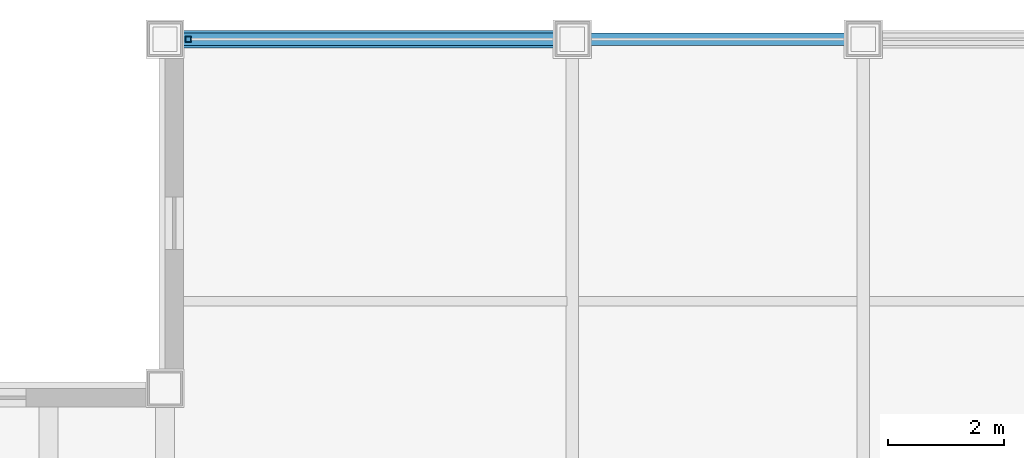
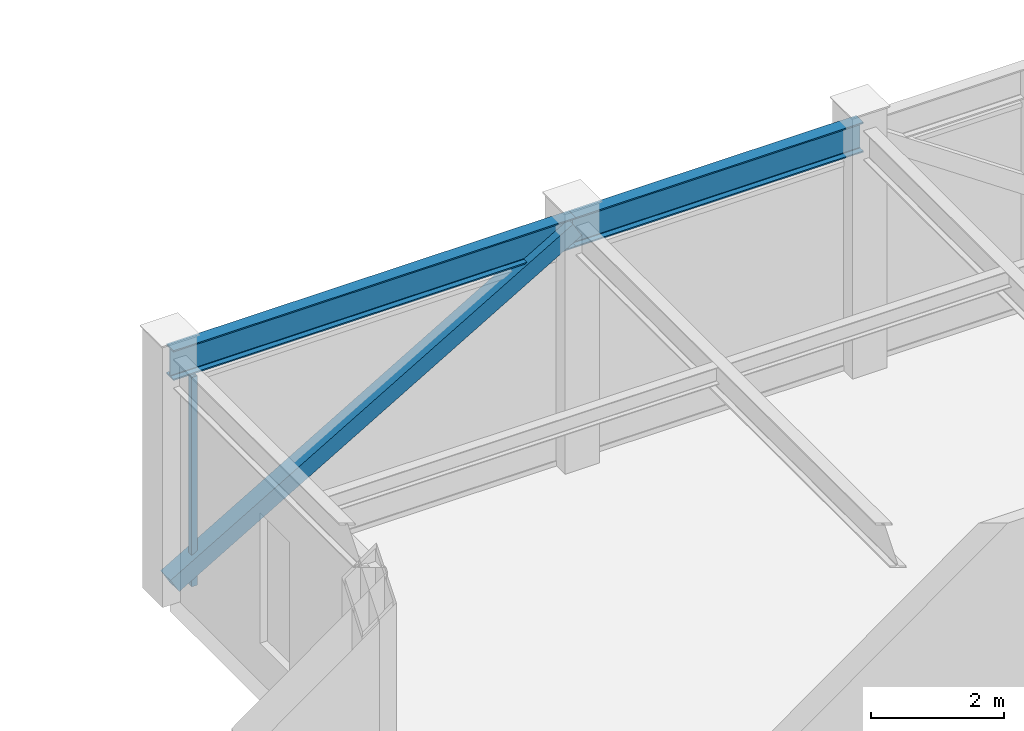
# One storey, part 16 of 27: 2 beams, 2 members, 1 element without a shape of its own.
"""IFC4 building model written with IfcOpenShell, lengths in metres."""

import ifcopenshell
import ifcopenshell.guid

model = None  # the IFC model being written
_history = None  # IfcOwnerHistory: only IFC2X3 demands one
_inside = {}  # id of a spatial element -> (the spatial element, [elements in it])
_under = {}  # id of a project, library or spatial element -> (it, [spatial elements below it])
_declared = {}  # id of a project -> (the project, [libraries it declares])
_typed = {}  # id of a type object -> (the type object, [elements of that type])
_made_of = {}  # id of a material, layer set ... -> (it, [elements and type objects made of it])


def new_model(schema):
    """Start an empty IFC model of exactly this schema.

    Asked for "IFC4X3", IfcOpenShell would pick the latest addendum, in which some entities
    have other attributes; the version numbers below select the first issue.
    IFC2X3 requires an IfcOwnerHistory on every rooted entity: one is made here for all.
    """
    global model, _history
    if schema == "IFC4X3":
        model = ifcopenshell.file(schema_version=(4, 3, 0, 0))
    else:
        model = ifcopenshell.file(schema=schema)
    _inside.clear()
    _under.clear()
    _declared.clear()
    _typed.clear()
    _made_of.clear()
    _history = None
    if model.schema == "IFC2X3":
        org = make("IfcOrganization", Name="unknown")
        user = make(
            "IfcPersonAndOrganization",
            ThePerson=make("IfcPerson", FamilyName="unknown"),
            TheOrganization=org,
        )
        app = make(
            "IfcApplication",
            ApplicationDeveloper=org,
            Version="unknown",
            ApplicationFullName="unknown",
            ApplicationIdentifier="unknown",
        )
        _history = make(
            "IfcOwnerHistory",
            OwningUser=user,
            OwningApplication=app,
            ChangeAction="ADDED",
            CreationDate=0,
        )
    return model


def make(cls, **values):
    """One entity of the class cls with the attributes given. An attribute that is None is left unset."""
    return model.create_entity(
        cls, **{name: value for name, value in values.items() if value is not None}
    )


def rooted(cls, **values):
    """An entity with a GlobalId (a new one), such as an element, a storey or a relation."""
    return make(cls, GlobalId=ifcopenshell.guid.new(), OwnerHistory=_history, **values)


def si_unit(unit_type, name, prefix=None):
    """IfcSIUnit, for example si_unit("LENGTHUNIT", "METRE", prefix="MILLI")."""
    return make("IfcSIUnit", UnitType=unit_type, Prefix=prefix, Name=name)


def assignment(units):
    """IfcUnitAssignment: the units of a project."""
    return None if units is None else make("IfcUnitAssignment", Units=units)


def point(xyz):
    """IfcCartesianPoint."""
    return None if xyz is None else make("IfcCartesianPoint", Coordinates=xyz)


def direction(xyz):
    """IfcDirection."""
    return None if xyz is None else make("IfcDirection", DirectionRatios=xyz)


def frame(location, z_axis=None, x_axis=None):
    """IfcAxis2Placement3D, a coordinate frame: its origin and axes. An axis left out is left unset."""
    return make(
        "IfcAxis2Placement3D",
        Location=point(location),
        Axis=direction(z_axis),
        RefDirection=direction(x_axis),
    )


def frame_2d(location, x_axis=None):
    """IfcAxis2Placement2D, a coordinate frame in the plane: its origin and x axis."""
    return make(
        "IfcAxis2Placement2D", Location=point(location), RefDirection=direction(x_axis)
    )


def origin():
    """The frame at (0, 0, 0) with its axes left unset."""
    return frame((0.0, 0.0, 0.0))


def origin_2d():
    """The frame at (0, 0) in the plane with its x axis left unset."""
    return frame_2d((0.0, 0.0))


def place(relative_to, where):
    """IfcLocalPlacement: puts the frame where relative to a parent placement (None: the world)."""
    return make(
        "IfcLocalPlacement", PlacementRelTo=relative_to, RelativePlacement=where
    )


def context(
    kind, dimensions, precision=None, world=None, true_north=None, identifier=None
):
    """IfcGeometricRepresentationContext, for example the 3D "Model" context."""
    return make(
        "IfcGeometricRepresentationContext",
        ContextIdentifier=identifier,
        ContextType=kind,
        CoordinateSpaceDimension=dimensions,
        Precision=precision,
        WorldCoordinateSystem=world,
        TrueNorth=true_north,
    )


def subcontext(parent, identifier, kind, view, scale=None):
    """IfcGeometricRepresentationSubContext, for example "Body" below "Model"."""
    return make(
        "IfcGeometricRepresentationSubContext",
        ContextIdentifier=identifier,
        ContextType=kind,
        ParentContext=parent,
        TargetScale=scale,
        TargetView=view,
    )


def project(units=None, contexts=None):
    """IfcProject with its units and contexts."""
    return rooted(
        "IfcProject",
        Name="project",
        RepresentationContexts=contexts,
        UnitsInContext=assignment(units),
    )


def spatial(cls, under=None, at=None, **own):
    """A site, building, storey or space (cls), placed at a placement, below another one or the project."""
    s = rooted(cls, ObjectPlacement=at, **own)
    if under is not None:
        _under.setdefault(under.id(), (under, []))[1].append(s)
    return s


def profile(cls, at=None, kind="AREA", **sizes):
    """A parametric profile (cls). Its sizes go by their IFC names, for example OverallWidth=200.0."""
    return make(cls, ProfileType=kind, Position=at, **sizes)


def hollow_rectangle(**sizes):
    """IfcRectangleHollowProfileDef."""
    return profile("IfcRectangleHollowProfileDef", **sizes)


def i_section(**sizes):
    """IfcIShapeProfileDef."""
    return profile("IfcIShapeProfileDef", **sizes)


def extrude(swept, where, along, depth):
    """IfcExtrudedAreaSolid: the profile swept, set in the frame where, extruded along a direction by depth."""
    return make(
        "IfcExtrudedAreaSolid",
        SweptArea=swept,
        Position=where,
        ExtrudedDirection=direction(along),
        Depth=depth,
    )


def shape(context_of_items, identifier, shape_type, items):
    """IfcShapeRepresentation: the items that make up one representation, for example the "Body"."""
    return make(
        "IfcShapeRepresentation",
        ContextOfItems=context_of_items,
        RepresentationIdentifier=identifier,
        RepresentationType=shape_type,
        Items=items,
    )


def source(mapping_origin, context_of_items, identifier, shape_type, items):
    """IfcRepresentationMap: a shape defined once, which mapped items show again and again."""
    return make(
        "IfcRepresentationMap",
        MappingOrigin=mapping_origin,
        MappedRepresentation=shape(context_of_items, identifier, shape_type, items),
    )


def transform(
    local_origin,
    x_axis=None,
    y_axis=None,
    z_axis=None,
    scale=None,
    scale2=None,
    scale3=None,
    uniform=True,
):
    """IfcCartesianTransformationOperator3D, or its non-uniform kind. x_axis, y_axis, z_axis: its Axis1, 2, 3."""
    if uniform:
        return make(
            "IfcCartesianTransformationOperator3D",
            Axis1=direction(x_axis),
            Axis2=direction(y_axis),
            LocalOrigin=point(local_origin),
            Scale=scale,
            Axis3=direction(z_axis),
        )
    return make(
        "IfcCartesianTransformationOperator3DnonUniform",
        Axis1=direction(x_axis),
        Axis2=direction(y_axis),
        LocalOrigin=point(local_origin),
        Scale=scale,
        Axis3=direction(z_axis),
        Scale2=scale2,
        Scale3=scale3,
    )


def mapped(mapping_source, mapping_target):
    """IfcMappedItem: shows the shape of a source again, moved by a transform."""
    return make(
        "IfcMappedItem", MappingSource=mapping_source, MappingTarget=mapping_target
    )


def material(Name=None, Category=None):
    """IfcMaterial."""
    return make("IfcMaterial", Name=Name, Category=Category)


def material_profile(
    of_material, cross_section, Name=None, Category=None, Priority=None
):
    """IfcMaterialProfile: a cross section and its material."""
    return make(
        "IfcMaterialProfile",
        Name=Name,
        Material=of_material,
        Profile=cross_section,
        Priority=Priority,
        Category=Category,
    )


def profile_set(profiles, Name=None, composite=None):
    """IfcMaterialProfileSet."""
    return make(
        "IfcMaterialProfileSet",
        Name=Name,
        MaterialProfiles=profiles,
        CompositeProfile=composite,
    )


def made_of(thing, what):
    """Note that an element or type object is made of a material, layer set ...; save() writes the relation."""
    if what is not None:
        _made_of.setdefault(what.id(), (what, []))[1].append(thing)
    return thing


def type_object(cls, material=None, **own):
    """A type object (cls), such as IfcWallType, which elements share."""
    return made_of(rooted(cls, **own), material)


def element(
    cls,
    number,
    at=None,
    inside=None,
    cuts=None,
    type_object=None,
    material=None,
    context=None,
    identifier="Body",
    shape_type=None,
    held_by="IfcProductDefinitionShape",
    body=None,
    shapes=None,
    **own,
):
    """One element of the class cls, such as IfcWall. Its Tag is "e" and its number.

    at: its placement. inside: the storey or other place that contains it. cuts: it is an
    opening in that element (IfcRelVoidsElement). A single representation is given by context,
    identifier, shape_type and body (its items); several are given by shapes. held_by: the class
    of the entity that holds the representations. save() writes the other relations.
    """
    e = rooted(cls, Tag="e%d" % number, ObjectPlacement=at, **own)
    if body is not None:
        shapes = [shape(context, identifier, shape_type, body)]
    if shapes is not None:
        e.Representation = make(held_by, Representations=shapes)
    if inside is not None:
        _inside.setdefault(inside.id(), (inside, []))[1].append(e)
    if cuts is not None:
        rooted(
            "IfcRelVoidsElement", RelatingBuildingElement=cuts, RelatedOpeningElement=e
        )
    if type_object is not None:
        _typed.setdefault(type_object.id(), (type_object, []))[1].append(e)
    return made_of(e, material)


def aggregate(whole, parts):
    """IfcRelAggregates: a whole, such as a stair, and the parts it consists of."""
    return rooted("IfcRelAggregates", RelatingObject=whole, RelatedObjects=parts)


def save(model, path):
    """Write the relations noted so far, then the file.

    IfcRelAggregates (storeys below a building ...), IfcRelContainedInSpatialStructure (elements
    in a storey), IfcRelDefinesByType, IfcRelAssociatesMaterial and IfcRelDeclares: one each for
    every whole, place, type object, material and project.
    """
    for whole, parts in _under.values():
        aggregate(whole, parts)
    for where, things in _inside.values():
        rooted(
            "IfcRelContainedInSpatialStructure",
            RelatedElements=things,
            RelatingStructure=where,
        )
    for kind, things in _typed.values():
        rooted("IfcRelDefinesByType", RelatedObjects=things, RelatingType=kind)
    for what, things in _made_of.values():
        rooted("IfcRelAssociatesMaterial", RelatedObjects=things, RelatingMaterial=what)
    for by, libraries in _declared.values():
        rooted("IfcRelDeclares", RelatingContext=by, RelatedDefinitions=libraries)
    model.write(path)


model = new_model("IFC4")

# Units and contexts
model_context = context("Model", 3, precision=1e-05, world=origin(), true_north=direction((0.0, 1.0)))
body_context = subcontext(model_context, "Body", "Model", "MODEL_VIEW")
ifc_project = project(units=[si_unit("LENGTHUNIT", "METRE"), si_unit("AREAUNIT", "SQUARE_METRE"), si_unit("VOLUMEUNIT", "CUBIC_METRE"), si_unit("PLANEANGLEUNIT", "RADIAN"), si_unit("MASSUNIT", "GRAM", prefix="KILO")], contexts=[model_context])

# Site, building, storey
site_placement = place(None, origin())
site = spatial("IfcSite", under=ifc_project, at=site_placement, CompositionType="ELEMENT")
building_placement = place(site_placement, origin())
building = spatial("IfcBuilding", under=site, at=building_placement, Name="Khorayat Bourse Tower", CompositionType="ELEMENT")
storey_placement = place(building_placement, frame((0.0, 0.0, 399.5)))
storey = spatial("IfcBuildingStorey", under=building, at=storey_placement, Name="L94", CompositionType="ELEMENT", Elevation=399.5)

# Beams
ifc_material_1 = material(Name="Steel ASTM A992 Grade 50", Category="steel")
ifc_material_profile_1 = material_profile(ifc_material_1, i_section(OverallWidth=0.214111328125, OverallDepth=0.549072265625, WebThickness=0.0146484375, FlangeThickness=0.023681640625, FilletRadius=0.013916015625, at=origin_2d()), Name="W530X138")
ifc_profile_set_1 = profile_set([ifc_material_profile_1], Name="Steel ASTM A992 Grade 50")
beam_type = type_object("IfcBeamType", Name="BM-SPAN-530", PredefinedType="SPANDREL", material=ifc_profile_set_1)
shared_shape_1 = source(origin(), body_context, "Body", "SweptSolid", [
    extrude(i_section(OverallWidth=0.214111328125, OverallDepth=0.549072265625, WebThickness=0.0146484375, FlangeThickness=0.023681640625, FilletRadius=0.013916015625, at=origin_2d()), origin(), (0.0, 0.0, 1.0), 5.0),
])
beam_1_placement = place(storey_placement, frame((-11.0, 24.0, 4.2255859375), z_axis=(1.0, 0.0, 0.0), x_axis=(0.0, 1.0, 0.0)))
element("IfcBeam", 1, at=beam_1_placement, inside=storey, type_object=beam_type, Name="L94 BM-SPAN-530 BM-L94-SPN-044", PredefinedType="SPANDREL", context=body_context, shape_type="MappedRepresentation", body=[
    mapped(shared_shape_1, transform((0.0, 0.0, 0.0), scale=1.0)),
])
shared_shape_2 = source(origin(), body_context, "Body", "SweptSolid", [
    extrude(i_section(OverallWidth=0.214111328125, OverallDepth=0.549072265625, WebThickness=0.0146484375, FlangeThickness=0.023681640625, FilletRadius=0.013916015625, at=origin_2d()), origin(), (0.0, 0.0, 1.0), 7.0),
])
beam_2_placement = place(storey_placement, frame((-18.0, 24.0, 4.2255859375), z_axis=(1.0, 0.0, 0.0), x_axis=(0.0, 1.0, 0.0)))
element("IfcBeam", 2, at=beam_2_placement, inside=storey, type_object=beam_type, Name="L94 BM-SPAN-530 BM-L94-SPN-045", PredefinedType="SPANDREL", context=body_context, shape_type="MappedRepresentation", body=[
    mapped(shared_shape_2, transform((0.0, 0.0, 0.0), scale=1.0)),
])

# Member
ifc_material_2 = material(Name="Steel EN 10025-2 S355J2", Category="steel")
ifc_material_profile_2 = material_profile(ifc_material_2, hollow_rectangle(XDim=0.300048828125, YDim=0.300048828125, WallThickness=0.01611328125, at=origin_2d()), Name="HSS 300x300x16")
ifc_profile_set_2 = profile_set([ifc_material_profile_2], Name="Steel EN 10025-2 S355J2")
member_type_1 = type_object("IfcMemberType", Name="MBR-CROWN-300", PredefinedType="USERDEFINED", material=ifc_profile_set_2)
shared_shape_3 = source(origin(), body_context, "Body", "SweptSolid", [
    extrude(hollow_rectangle(XDim=0.300048828125, YDim=0.300048828125, WallThickness=0.01611328125, at=origin_2d()), origin(), (0.0, 0.0, 1.0), 8.1123046875),
])
member_1_placement = place(storey_placement, frame((-18.0, 24.0, 0.199951171875), z_axis=(0.862878111278, 0.0, 0.505412074526), x_axis=(0.0, 1.0, 0.0)))
element("IfcMember", 3, at=member_1_placement, inside=storey, type_object=member_type_1, Name="L94 Lantern Crown Frame Member 05", ObjectType="CROWN FRAME", PredefinedType="USERDEFINED", context=body_context, shape_type="MappedRepresentation", body=[
    mapped(shared_shape_3, transform((0.0, 0.0, 0.0), scale=1.0)),
])

# Curtain wall, member
ifc_material_3 = material(Name="Aluminium EN AW-6063 T6", Category="aluminium")
curtain_wall_type = type_object("IfcCurtainWallType", Name="CW-SYS-07", PredefinedType="NOTDEFINED", material=ifc_material_3)
curtain_wall_placement = place(storey_placement, origin())
curtain_wall = element("IfcCurtainWall", 4, at=curtain_wall_placement, inside=storey, type_object=curtain_wall_type, Name="L94 Curtain Wall CW-L94-N1", PredefinedType="NOTDEFINED")
ifc_material_profile_3 = material_profile(ifc_material_3, hollow_rectangle(XDim=0.10009765625, YDim=0.10009765625, WallThickness=0.0048828125, at=origin_2d()), Name="ALU 100x100x5")
ifc_profile_set_3 = profile_set([ifc_material_profile_3], Name="Aluminium EN AW-6063 T6")
member_type_2 = type_object("IfcMemberType", Name="CWM-LANTERN-100", PredefinedType="MULLION", material=ifc_profile_set_3)
shared_shape_4 = source(origin(), body_context, "Body", "SweptSolid", [
    extrude(hollow_rectangle(XDim=0.10009765625, YDim=0.10009765625, WallThickness=0.0048828125, at=origin_2d()), origin(), (0.0, 0.0, 1.0), 3.85009765625),
])
member_2_placement = place(storey_placement, frame((-17.60009765625, 24.0, 0.0), z_axis=(0.0, 0.0, 1.0), x_axis=(0.0, 1.0, 0.0)))
member_2 = element("IfcMember", 5, at=member_2_placement, type_object=member_type_2, Name="CW-L94-N1 Vertical Mullion 1", PredefinedType="MULLION", context=body_context, shape_type="MappedRepresentation", body=[
    mapped(shared_shape_4, transform((0.0, 0.0, 0.0), scale=1.0)),
])
aggregate(curtain_wall, [member_2])

save(model, "model.ifc")
